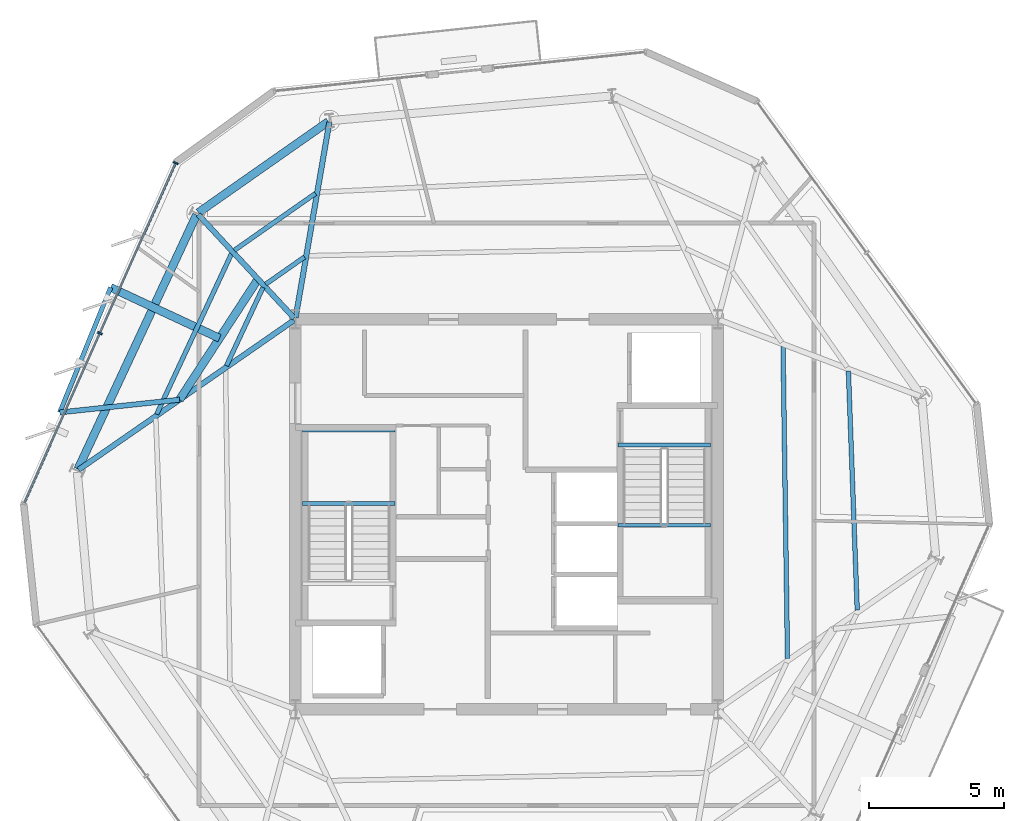
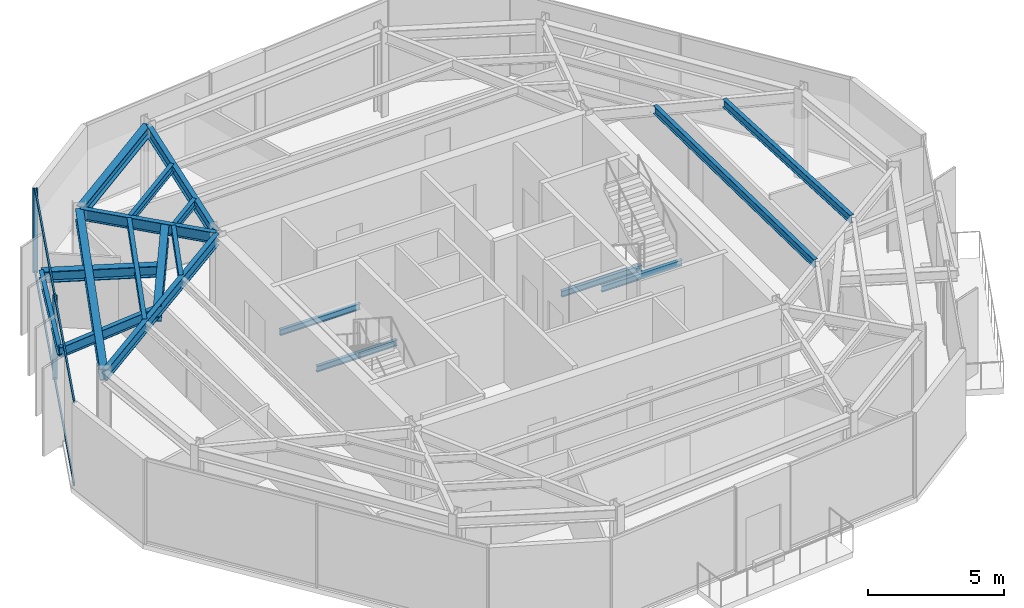
# One storey, part 4 of 11: 19 beams, 6 members, 1 element without a shape of its own.
"""IFC4 building model written with IfcOpenShell, lengths in metres."""

from ifc_helpers import new_model, si_unit, direction, frame, origin, origin_2d, place, context, subcontext, project, spatial, rectangle, i_section, extrude, material, layer, layer_set, material_profile, profile_set, type_object, element, aggregate, save


model = new_model("IFC4")

# Units and contexts
model_context = context("Model", 3, precision=1e-05, world=origin(), true_north=direction((0.0, 1.0)))
body_context = subcontext(model_context, "Body", "Model", "MODEL_VIEW")
ifc_project = project(units=[si_unit("LENGTHUNIT", "METRE"), si_unit("AREAUNIT", "SQUARE_METRE"), si_unit("VOLUMEUNIT", "CUBIC_METRE"), si_unit("PLANEANGLEUNIT", "RADIAN"), si_unit("MASSUNIT", "GRAM", prefix="KILO")], contexts=[model_context])

# Site, building, storey
site_placement = place(None, origin())
site = spatial("IfcSite", under=ifc_project, at=site_placement, CompositionType="ELEMENT")
building_placement = place(site_placement, origin())
building = spatial("IfcBuilding", under=site, at=building_placement, Name="Kranzbogen Civic Tower", CompositionType="ELEMENT")
storey_placement = place(building_placement, frame((0.0, 0.0, 290.199951171875)))
storey = spatial("IfcBuildingStorey", under=building, at=storey_placement, Name="L70", CompositionType="ELEMENT", Elevation=290.199951171875)

# Beam
ifc_material_1 = material(Name="Steel S355", Category="steel")
ifc_material_profile_1 = material_profile(ifc_material_1, i_section(OverallWidth=0.18994140625, OverallDepth=0.449951171875, WebThickness=0.009521484375, FlangeThickness=0.0146484375, at=origin_2d()), Name="IPE 450")
ifc_profile_set_1 = profile_set([ifc_material_profile_1], Name="Steel S355")
beam_type_1 = type_object("IfcBeamType", Name="Braced Terrace Edge Beam IPE 450", PredefinedType="BEAM", material=ifc_profile_set_1)
beam_1_placement = place(storey_placement, frame((12.924072265625, 29.23291015625, 3.525146484375), z_axis=(-0.994384246191, -0.105829915084, 0.0), x_axis=(0.105829915084, -0.994384246191, 0.0)))
element("IfcBeam", 1, at=beam_1_placement, inside=storey, type_object=beam_type_1, Name="L71 back-spanned terrace beam L71-TB1-2", PredefinedType="BEAM", context=body_context, shape_type="SweptSolid", body=[
    extrude(i_section(OverallWidth=0.18994140625, OverallDepth=0.449951171875, WebThickness=0.009521484375, FlangeThickness=0.0146484375, at=origin_2d()), origin(), (0.0, 0.0, 1.0), 4.449951171875),
])

# Curtain wall, members
ifc_material_2 = material(Name="Pale Anodised Aluminium", Category="aluminium")
ifc_layer = layer(ifc_material_2, 0.219970703125, Name="Pale Anodised Aluminium")
ifc_layer_set = layer_set([ifc_layer], Name="Pale Anodised Aluminium")
curtain_wall_type = type_object("IfcCurtainWallType", Name="Zone 4 Stick Curtain Wall System CW-05", PredefinedType="USERDEFINED", material=ifc_layer_set)
curtain_wall_placement = place(storey_placement, origin())
curtain_wall = element("IfcCurtainWall", 2, at=curtain_wall_placement, inside=storey, type_object=curtain_wall_type, Name="L70 curtain wall CW-L70-F2", ObjectType="STICK CURTAIN WALL", PredefinedType="USERDEFINED")
ifc_material_profile_2 = material_profile(ifc_material_2, rectangle(XDim=0.06494140625, YDim=0.179931640625, at=origin_2d()), Name="ALU-M 65x180")
ifc_profile_set_2 = profile_set([ifc_material_profile_2], Name="Pale Anodised Aluminium")
member_type_1 = type_object("IfcMemberType", Name="Curtain Wall Mullion ALU-M 65x180", PredefinedType="MULLION", material=ifc_profile_set_2)
member_1_placement = place(storey_placement, frame((12.78271484375, 37.9736328125, 0.0), z_axis=(0.0, 0.0, 1.0), x_axis=(-0.406722258153, -0.913551862087, 0.0)))
member_1 = element("IfcMember", 3, at=member_1_placement, type_object=member_type_1, Name="CW-05 mullion 1", PredefinedType="MULLION", context=body_context, shape_type="SweptSolid", body=[
    extrude(rectangle(XDim=0.06494140625, YDim=0.179931640625, at=origin_2d()), origin(), (0.0, 0.0, 1.0), 3.780029296875),
])
member_2_placement = place(storey_placement, frame((9.9833984375, 31.68603515625, 0.0), z_axis=(0.0, 0.0, 1.0), x_axis=(-0.406722258153, -0.913551862087, 0.0)))
member_2 = element("IfcMember", 4, at=member_2_placement, type_object=member_type_1, Name="CW-05 mullion 2", PredefinedType="MULLION", context=body_context, shape_type="SweptSolid", body=[
    extrude(rectangle(XDim=0.06494140625, YDim=0.179931640625, at=origin_2d()), origin(), (0.0, 0.0, 1.0), 3.780029296875),
])
ifc_material_profile_3 = material_profile(ifc_material_2, rectangle(XDim=0.06494140625, YDim=0.135009765625, at=origin_2d()), Name="ALU-T 65x135")
ifc_profile_set_3 = profile_set([ifc_material_profile_3], Name="Pale Anodised Aluminium")
member_type_2 = type_object("IfcMemberType", Name="Curtain Wall Transom ALU-T 65x135", PredefinedType="USERDEFINED", material=ifc_profile_set_3)
member_3_placement = place(storey_placement, frame((12.7705078125, 37.9462890625, 0.030029296875), z_axis=(-0.406716086696, -0.913554609656, 0.0), x_axis=(0.913554609656, -0.406716086696, 0.0)))
member_3 = element("IfcMember", 5, at=member_3_placement, type_object=member_type_2, Name="CW-05 transom 1.1", ObjectType="TRANSOM", PredefinedType="USERDEFINED", context=body_context, shape_type="SweptSolid", body=[
    extrude(rectangle(XDim=0.06494140625, YDim=0.135009765625, at=origin_2d()), origin(), (0.0, 0.0, 1.0), 6.82275390625),
])
member_4_placement = place(storey_placement, frame((12.7705078125, 37.9462890625, 3.75), z_axis=(-0.406716086696, -0.913554609656, 0.0), x_axis=(0.913554609656, -0.406716086696, 0.0)))
member_4 = element("IfcMember", 6, at=member_4_placement, type_object=member_type_2, Name="CW-05 transom 1.2", ObjectType="TRANSOM", PredefinedType="USERDEFINED", context=body_context, shape_type="SweptSolid", body=[
    extrude(rectangle(XDim=0.06494140625, YDim=0.135009765625, at=origin_2d()), origin(), (0.0, 0.0, 1.0), 6.82275390625),
])
member_5_placement = place(storey_placement, frame((9.97119140625, 31.65869140625, 0.030029296875), z_axis=(-0.406716086696, -0.913554609656, 0.0), x_axis=(0.913554609656, -0.406716086696, 0.0)))
member_5 = element("IfcMember", 7, at=member_5_placement, type_object=member_type_2, Name="CW-05 transom 2.1", ObjectType="TRANSOM", PredefinedType="USERDEFINED", context=body_context, shape_type="SweptSolid", body=[
    extrude(rectangle(XDim=0.06494140625, YDim=0.135009765625, at=origin_2d()), origin(), (0.0, 0.0, 1.0), 6.82275390625),
])
member_6_placement = place(storey_placement, frame((9.97119140625, 31.65869140625, 3.75), z_axis=(-0.406716086696, -0.913554609656, 0.0), x_axis=(0.913554609656, -0.406716086696, 0.0)))
member_6 = element("IfcMember", 8, at=member_6_placement, type_object=member_type_2, Name="CW-05 transom 2.2", ObjectType="TRANSOM", PredefinedType="USERDEFINED", context=body_context, shape_type="SweptSolid", body=[
    extrude(rectangle(XDim=0.06494140625, YDim=0.135009765625, at=origin_2d()), origin(), (0.0, 0.0, 1.0), 6.82275390625),
])
aggregate(curtain_wall, [member_1, member_2, member_3, member_4, member_5, member_6])

# Beams
ifc_material_profile_4 = material_profile(ifc_material_1, i_section(OverallWidth=0.300048828125, OverallDepth=0.5, WebThickness=0.014404296875, FlangeThickness=0.028076171875, at=origin_2d()), Name="HEB 500")
ifc_profile_set_4 = profile_set([ifc_material_profile_4], Name="Steel S355")
beam_type_2 = type_object("IfcBeamType", Name="Perimeter Tube Spandrel Beam HEB 500", PredefinedType="SPANDREL", material=ifc_profile_set_4)
beam_2_placement = place(storey_placement, frame((18.41796875, 39.501953125, 3.530029296875), z_axis=(-0.819059436004, -0.57370867197, 0.0), x_axis=(0.57370867197, -0.819059436004, 0.0)))
element("IfcBeam", 9, at=beam_2_placement, inside=storey, type_object=beam_type_2, Name="L70 perimeter spandrel beam 10", PredefinedType="SPANDREL", context=body_context, shape_type="SweptSolid", body=[
    extrude(i_section(OverallWidth=0.300048828125, OverallDepth=0.5, WebThickness=0.014404296875, FlangeThickness=0.028076171875, at=origin_2d()), origin(), (0.0, 0.0, 1.0), 5.85302734375),
])
beam_3_placement = place(storey_placement, frame((13.550048828125, 36.055908203125, 3.530029296875), z_axis=(-0.422668780888, -0.906284227857, 0.0), x_axis=(0.906284227857, -0.422668780888, 0.0)))
element("IfcBeam", 10, at=beam_3_placement, inside=storey, type_object=beam_type_2, Name="L70 perimeter spandrel beam 11", PredefinedType="SPANDREL", context=body_context, shape_type="SweptSolid", body=[
    extrude(i_section(OverallWidth=0.300048828125, OverallDepth=0.5, WebThickness=0.014404296875, FlangeThickness=0.028076171875, at=origin_2d()), origin(), (0.0, 0.0, 1.0), 10.363037109375),
])
beam_4_placement = place(storey_placement, frame((14.40087890625, 31.501953125, 3.5), z_axis=(-0.90634479868, 0.422538880939, 0.0), x_axis=(-0.422538880939, -0.90634479868, 0.0)))
element("IfcBeam", 11, at=beam_4_placement, inside=storey, type_object=beam_type_2, Name="L71 back-spanned terrace beam L71-TB1-1", PredefinedType="SPANDREL", context=body_context, shape_type="SweptSolid", body=[
    extrude(i_section(OverallWidth=0.300048828125, OverallDepth=0.5, WebThickness=0.014404296875, FlangeThickness=0.028076171875, at=origin_2d()), origin(), (0.0, 0.0, 1.0), 4.43505859375),
])
ifc_material_profile_5 = material_profile(ifc_material_1, i_section(OverallWidth=0.300048828125, OverallDepth=0.699951171875, WebThickness=0.01708984375, FlangeThickness=0.031982421875, at=origin_2d()), Name="HEB 700")
ifc_profile_set_5 = profile_set([ifc_material_profile_5], Name="Steel S355")
beam_type_3 = type_object("IfcBeamType", Name="Perimeter Tube Spandrel Beam HEB 700", PredefinedType="SPANDREL", material=ifc_profile_set_5)
beam_5_placement = place(storey_placement, frame((15.822021484375, 33.68603515625, 3.400146484375), z_axis=(-0.545440514923, -0.83814953599, 0.0), x_axis=(0.83814953599, -0.545440514923, 0.0)))
element("IfcBeam", 12, at=beam_5_placement, inside=storey, type_object=beam_type_3, Name="L71 balcony back-span header girder L71-TB1", PredefinedType="SPANDREL", context=body_context, shape_type="SweptSolid", body=[
    extrude(i_section(OverallWidth=0.300048828125, OverallDepth=0.699951171875, WebThickness=0.01708984375, FlangeThickness=0.031982421875, at=origin_2d()), origin(), (0.0, 0.0, 1.0), 5.31298828125),
])
ifc_material_profile_6 = material_profile(ifc_material_1, i_section(OverallWidth=0.199951171875, OverallDepth=0.5, WebThickness=0.01025390625, FlangeThickness=0.01611328125, at=origin_2d()), Name="IPE 500")
ifc_profile_set_6 = profile_set([ifc_material_profile_6], Name="Steel S355")
beam_type_4 = type_object("IfcBeamType", Name="Radial Tower Floor Girder IPE 500", PredefinedType="BEAM", material=ifc_profile_set_6)
beam_6_placement = place(storey_placement, frame((18.45703125, 39.47705078125, 3.530029296875), z_axis=(-0.170249558486, -0.985400978199, 0.0), x_axis=(0.985400978199, -0.170249558486, 0.0)))
element("IfcBeam", 13, at=beam_6_placement, inside=storey, type_object=beam_type_4, Name="L70 radial floor girder 10", PredefinedType="BEAM", context=body_context, shape_type="SweptSolid", body=[
    extrude(i_section(OverallWidth=0.199951171875, OverallDepth=0.5, WebThickness=0.01025390625, FlangeThickness=0.01611328125, at=origin_2d()), origin(), (0.0, 0.0, 1.0), 7.324951171875),
])
beam_7_placement = place(storey_placement, frame((13.615966796875, 36.06591796875, 3.530029296875), z_axis=(0.679827353702, -0.733372190064, 0.0), x_axis=(0.733372190064, 0.679827353702, 0.0)))
element("IfcBeam", 14, at=beam_7_placement, inside=storey, type_object=beam_type_4, Name="L70 radial floor girder 11", PredefinedType="BEAM", context=body_context, shape_type="SweptSolid", body=[
    extrude(i_section(OverallWidth=0.199951171875, OverallDepth=0.5, WebThickness=0.01025390625, FlangeThickness=0.01611328125, at=origin_2d()), origin(), (0.0, 0.0, 1.0), 5.211669921875),
])
beam_8_placement = place(storey_placement, frame((9.194091796875, 26.64404296875, 3.530029296875), z_axis=(0.821542812331, 0.570146829779, 0.0), x_axis=(-0.570146829779, 0.821542812331, 0.0)))
element("IfcBeam", 15, at=beam_8_placement, inside=storey, type_object=beam_type_4, Name="L70 radial floor girder 12", PredefinedType="BEAM", context=body_context, shape_type="SweptSolid", body=[
    extrude(i_section(OverallWidth=0.199951171875, OverallDepth=0.5, WebThickness=0.01025390625, FlangeThickness=0.01611328125, at=origin_2d()), origin(), (0.0, 0.0, 1.0), 9.68505859375),
])
ifc_material_profile_7 = material_profile(ifc_material_1, i_section(OverallWidth=0.169921875, OverallDepth=0.360107421875, WebThickness=0.008056640625, FlangeThickness=0.0126953125, at=origin_2d()), Name="IPE 360")
ifc_profile_set_7 = profile_set([ifc_material_profile_7], Name="Steel S355")
beam_type_5 = type_object("IfcBeamType", Name="Secondary Composite Floor Joist IPE 360", PredefinedType="JOIST", material=ifc_profile_set_7)
beam_9_placement = place(storey_placement, frame((37.951904296875, 21.4580078125, 3.60009765625), z_axis=(-0.036992246074, 0.999315552631, 0.0), x_axis=(-0.999315552631, -0.036992246074, 0.0)))
element("IfcBeam", 16, at=beam_9_placement, inside=storey, type_object=beam_type_5, Name="L70 secondary floor joist 1.06", PredefinedType="JOIST", context=body_context, shape_type="SweptSolid", body=[
    extrude(i_section(OverallWidth=0.169921875, OverallDepth=0.360107421875, WebThickness=0.008056640625, FlangeThickness=0.0126953125, at=origin_2d()), origin(), (0.0, 0.0, 1.0), 8.837158203125),
])
beam_10_placement = place(storey_placement, frame((35.3759765625, 19.6689453125, 3.60009765625), z_axis=(-0.014221385906, 0.999898870978, 0.0), x_axis=(-0.999898870978, -0.014221385906, 0.0)))
element("IfcBeam", 17, at=beam_10_placement, inside=storey, type_object=beam_type_5, Name="L70 secondary floor joist 2.06", PredefinedType="JOIST", context=body_context, shape_type="SweptSolid", body=[
    extrude(i_section(OverallWidth=0.169921875, OverallDepth=0.360107421875, WebThickness=0.008056640625, FlangeThickness=0.0126953125, at=origin_2d()), origin(), (0.0, 0.0, 1.0), 11.536376953125),
])
beam_11_placement = place(storey_placement, frame((17.945068359375, 36.84912109375, 3.60009765625), z_axis=(-0.819006333711, -0.573784476385, 0.0), x_axis=(0.573784476385, -0.819006333711, 0.0)))
element("IfcBeam", 18, at=beam_11_placement, inside=storey, type_object=beam_type_5, Name="L70 secondary floor joist 1.10", PredefinedType="JOIST", context=body_context, shape_type="SweptSolid", body=[
    extrude(i_section(OverallWidth=0.169921875, OverallDepth=0.360107421875, WebThickness=0.008056640625, FlangeThickness=0.0126953125, at=origin_2d()), origin(), (0.0, 0.0, 1.0), 3.661865234375),
])
beam_12_placement = place(storey_placement, frame((17.5400390625, 34.501953125, 3.60009765625), z_axis=(-0.818956727849, -0.573855276103, 0.0), x_axis=(0.573855276103, -0.818956727849, 0.0)))
element("IfcBeam", 19, at=beam_12_placement, inside=storey, type_object=beam_type_5, Name="L70 secondary floor joist 2.10", PredefinedType="JOIST", context=body_context, shape_type="SweptSolid", body=[
    extrude(i_section(OverallWidth=0.169921875, OverallDepth=0.360107421875, WebThickness=0.008056640625, FlangeThickness=0.0126953125, at=origin_2d()), origin(), (0.0, 0.0, 1.0), 1.751220703125),
])
beam_13_placement = place(storey_placement, frame((14.845947265625, 34.6298828125, 3.60009765625), z_axis=(-0.422542528713, -0.906343098075, 0.0), x_axis=(0.906343098075, -0.422542528713, 0.0)))
element("IfcBeam", 20, at=beam_13_placement, inside=storey, type_object=beam_type_5, Name="L70 secondary floor joist 1.11", PredefinedType="JOIST", context=body_context, shape_type="SweptSolid", body=[
    extrude(i_section(OverallWidth=0.169921875, OverallDepth=0.360107421875, WebThickness=0.008056640625, FlangeThickness=0.0126953125, at=origin_2d()), origin(), (0.0, 0.0, 1.0), 6.548095703125),
])
beam_14_placement = place(storey_placement, frame((16.006103515625, 33.37890625, 3.60009765625), z_axis=(-0.422651143991, -0.906292453065, 0.0), x_axis=(0.906292453065, -0.422651143991, 0.0)))
element("IfcBeam", 21, at=beam_14_placement, inside=storey, type_object=beam_type_5, Name="L70 secondary floor joist 2.11", PredefinedType="JOIST", context=body_context, shape_type="SweptSolid", body=[
    extrude(i_section(OverallWidth=0.169921875, OverallDepth=0.360107421875, WebThickness=0.008056640625, FlangeThickness=0.0126953125, at=origin_2d()), origin(), (0.0, 0.0, 1.0), 3.1943359375),
])
beam_15_placement = place(storey_placement, frame((10.381103515625, 33.3759765625, 3.570068359375), z_axis=(-0.377692145342, -0.925931230355, 0.0), x_axis=(0.925931230355, -0.377692145342, 0.0)))
element("IfcBeam", 22, at=beam_15_placement, inside=storey, type_object=beam_type_5, Name="L71 terrace outer edge trimmer L71-TB1", PredefinedType="JOIST", context=body_context, shape_type="SweptSolid", body=[
    extrude(i_section(OverallWidth=0.169921875, OverallDepth=0.360107421875, WebThickness=0.008056640625, FlangeThickness=0.0126953125, at=origin_2d()), origin(), (0.0, 0.0, 1.0), 4.983154296875),
])
ifc_material_profile_8 = material_profile(ifc_material_1, i_section(OverallWidth=0.135009765625, OverallDepth=0.27001953125, WebThickness=0.006591796875, FlangeThickness=0.01025390625, at=origin_2d()), Name="IPE 270")
ifc_profile_set_8 = profile_set([ifc_material_profile_8], Name="Steel S355")
beam_type_6 = type_object("IfcBeamType", Name="Stair Landing Support Beam IPE 270", PredefinedType="JOIST", material=ifc_profile_set_8)
for number, where, z_axis, x_axis, name in (
    (23, (20.8798828125, 25.39990234375, 1.6650390625), (-1.0, 0.0, 0.0), (0.0, -1.0, 0.0), "L70 ST-T1 landing support beam 1.1"),
    (24, (20.8798828125, 28.10009765625, 1.6650390625), (-1.0, 0.0, 0.0), (0.0, -1.0, 0.0), "L70 ST-T1 landing support beam 1.2"),
    (25, (29.1201171875, 27.56005859375, -0.35498046875), (1.0, 0.0, 0.0), (0.0, 1.0, 0.0), "L70 ST-T2 stair floor header beam"),
    (26, (29.1201171875, 24.60009765625, 1.6650390625), (1.0, 0.0, 0.0), (0.0, 1.0, 0.0), "L70 ST-T2 landing support beam 1.1"),
):
    element("IfcBeam", number, at=place(storey_placement, frame(where, z_axis=z_axis, x_axis=x_axis)), inside=storey, type_object=beam_type_6, Name=name, PredefinedType="JOIST", context=body_context, shape_type="SweptSolid", body=[
        extrude(i_section(OverallWidth=0.135009765625, OverallDepth=0.27001953125, WebThickness=0.006591796875, FlangeThickness=0.01025390625, at=origin_2d()), origin(), (0.0, 0.0, 1.0), 3.409912109375),
    ])

save(model, "model.ifc")
